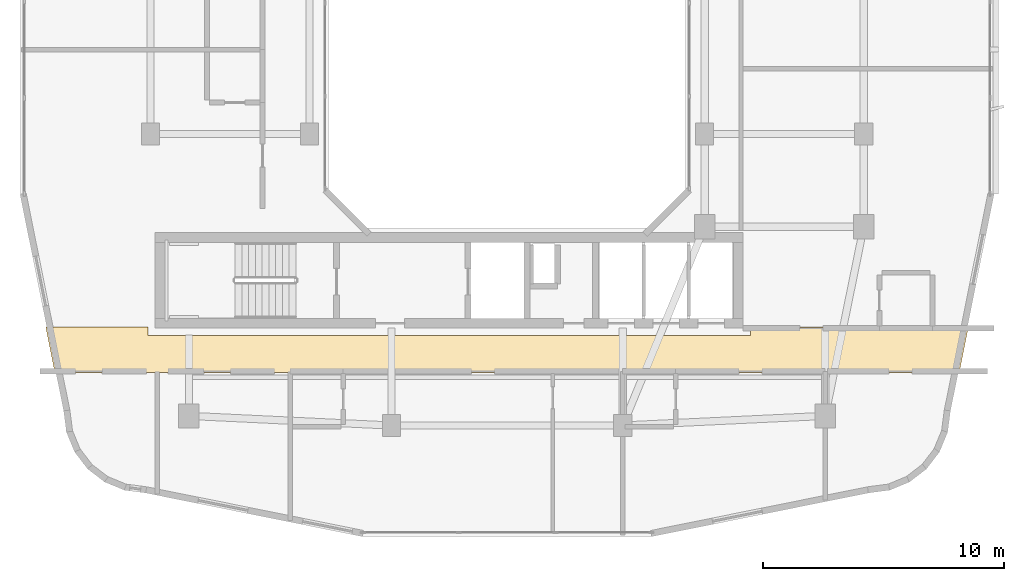
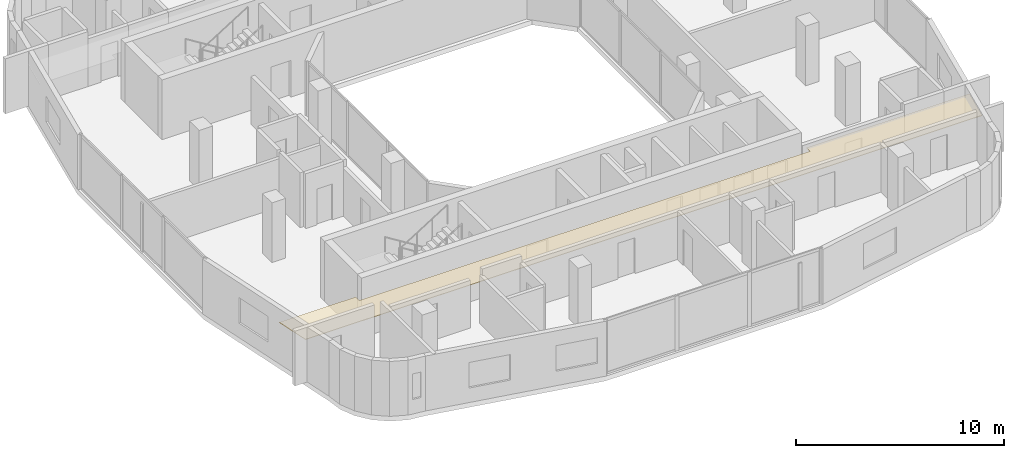
# One storey, part 12 of 14: 1 covering.
"""IFC4 building model written with IfcOpenShell, lengths in metres."""

from ifc_helpers import new_model, si_unit, derived_unit, direction, frame, origin, place, context, subcontext, project, spatial, polyline, outline, extrude, material, layer, layer_set, type_object, element, save


model = new_model("IFC4")

# Units and contexts
model_context = context("Model", 3, precision=1e-05, world=origin(), true_north=direction((0.0, 1.0)))
body_context = subcontext(model_context, "Body", "Model", "MODEL_VIEW")
ifc_project = project(units=[si_unit("LENGTHUNIT", "METRE"), si_unit("AREAUNIT", "SQUARE_METRE"), si_unit("VOLUMEUNIT", "CUBIC_METRE"), si_unit("PLANEANGLEUNIT", "RADIAN"), si_unit("MASSUNIT", "GRAM", prefix="KILO"), derived_unit("THERMALTRANSMITTANCEUNIT", [(si_unit("POWERUNIT", "WATT"), 1), (si_unit("LENGTHUNIT", "METRE"), -2), (si_unit("THERMODYNAMICTEMPERATUREUNIT", "KELVIN"), -1)])], contexts=[model_context])

# Site, building, storey
site_placement = place(None, origin())
site = spatial("IfcSite", under=ifc_project, at=site_placement, CompositionType="ELEMENT")
building_placement = place(site_placement, origin())
building = spatial("IfcBuilding", under=site, at=building_placement, Name="Kivonza Crest Hotel", CompositionType="ELEMENT")
storey_placement = place(building_placement, frame((0.0, 0.0, 159.0)))
storey = spatial("IfcBuildingStorey", under=building, at=storey_placement, Name="L43", CompositionType="ELEMENT", Elevation=159.0)

# Covering
ifc_material = material(Name="Moisture-resistant gypsum plasterboard ceiling", Category="gypsum")
ifc_layer = layer(ifc_material, 0.030029296875)
ifc_layer_set = layer_set([ifc_layer], Name="Moisture-resistant gypsum plasterboard ceiling")
covering_type = type_object("IfcCoveringType", Name="CV-CEIL-GYP", PredefinedType="CEILING", material=ifc_layer_set)
covering_placement = place(storey_placement, frame((0.0, 0.0, 2.449951171875)))
element("IfcCovering", 1, at=covering_placement, inside=storey, type_object=covering_type, Name="L43 Hotel South Guest Corridor suspended ceiling", PredefinedType="CEILING", context=body_context, shape_type="SweptSolid", body=[
    extrude(outline(polyline([(1.85791015625, 13.47998046875), (2.235107421875, 11.610107421875), (39.764892578125, 11.610107421875), (40.14208984375, 13.47998046875), (31.10009765625, 13.47998046875), (31.10009765625, 13.139892578125), (6.10009765625, 13.139892578125), (6.10009765625, 13.47998046875), (1.85791015625, 13.47998046875)])), origin(), (0.0, 0.0, 1.0), 0.030029296875),
])

save(model, "model.ifc")
